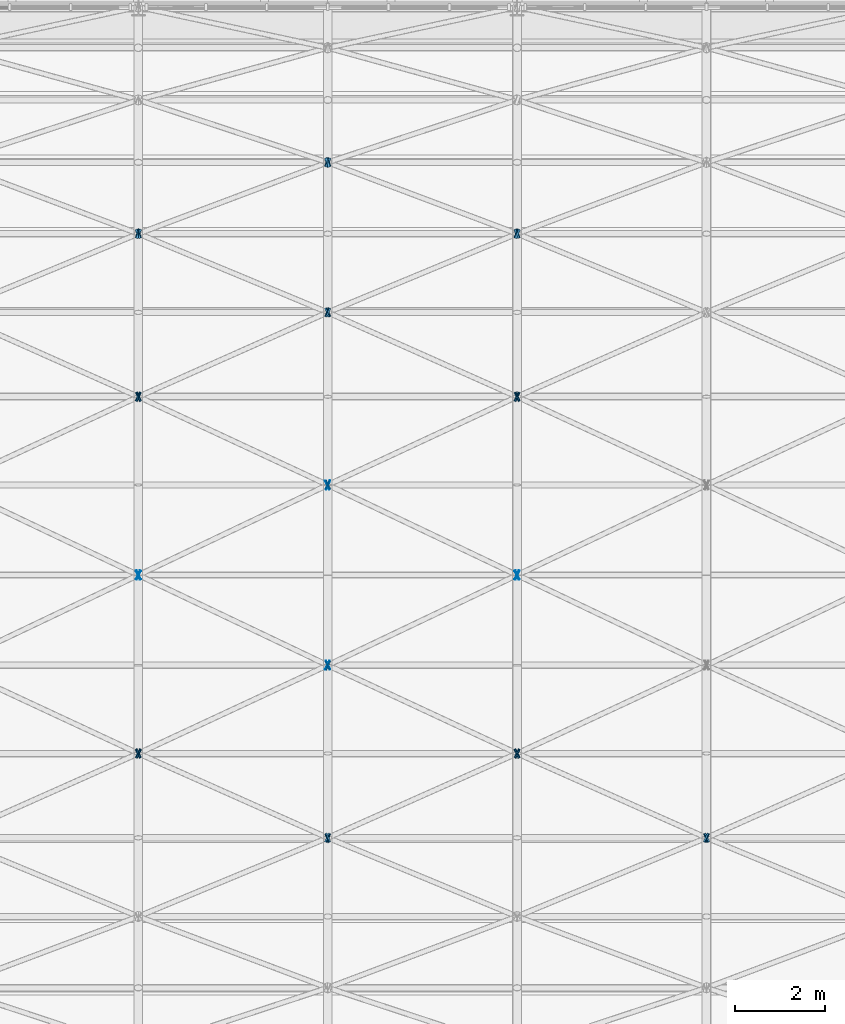
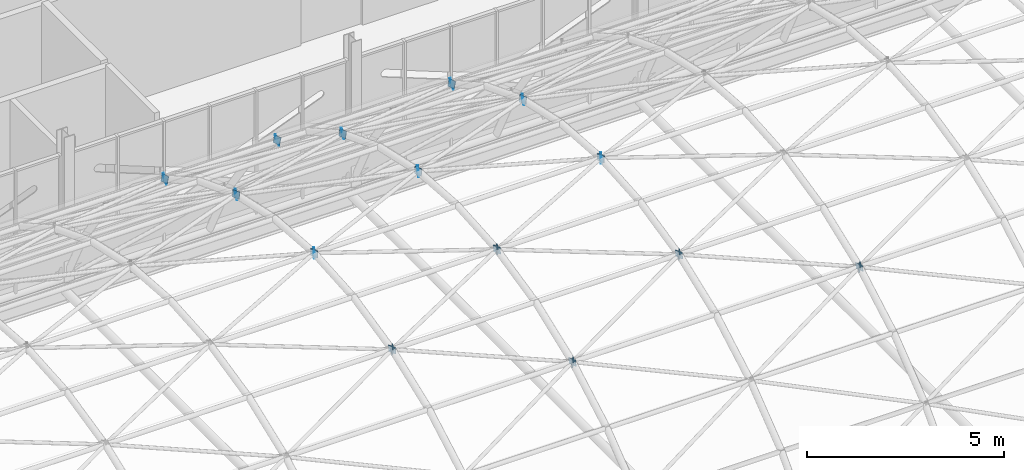
# One storey, part 113 of 121: 56 discrete accessories.
"""IFC4 building model written with IfcOpenShell, lengths in metres."""

from ifc_helpers import new_model, si_unit, direction, frame, origin, origin_2d, place, context, subcontext, project, spatial, rectangle, extrude, material, material_profile, profile_set, type_object, element, save


model = new_model("IFC4")

# Units and contexts
model_context = context("Model", 3, precision=1e-05, world=origin(), true_north=direction((0.0, 1.0)))
body_context = subcontext(model_context, "Body", "Model", "MODEL_VIEW")
ifc_project = project(units=[si_unit("LENGTHUNIT", "METRE"), si_unit("AREAUNIT", "SQUARE_METRE"), si_unit("VOLUMEUNIT", "CUBIC_METRE"), si_unit("PLANEANGLEUNIT", "RADIAN"), si_unit("MASSUNIT", "GRAM", prefix="KILO")], contexts=[model_context])

# Site, building, storey
site_placement = place(None, origin())
site = spatial("IfcSite", under=ifc_project, at=site_placement, CompositionType="ELEMENT")
building_placement = place(site_placement, origin())
building = spatial("IfcBuilding", under=site, at=building_placement, Name="Ardhachandra Cancer Care Centre", CompositionType="ELEMENT")
storey_placement = place(building_placement, frame((0.0, 0.0, 9.0)))
storey = spatial("IfcBuildingStorey", under=building, at=storey_placement, Name="L02", CompositionType="ELEMENT", Elevation=9.0)

# Discrete accessories
ifc_material = material(Name="Steel E250 (IS 2062)", Category="steel")
ifc_material_profile = material_profile(ifc_material, rectangle(XDim=0.21435546875, YDim=0.21435546875, at=origin_2d()), Name="PL 214x214x12")
ifc_profile_set = profile_set([ifc_material_profile], Name="Steel E250 (IS 2062)")
discrete_accessory_type = type_object("IfcDiscreteAccessoryType", Name="Diagonal end plate 214 x 214 x 12", PredefinedType="BRACKET", material=ifc_profile_set)
for number, where, z_axis, x_axis, name in (
    (1, (78.0, 63.244384765625, 7.814208984375), (-0.900966171356, -0.409530077889, -0.143335527261), (0.413802944301, -0.910366477463, 0.0), "Diagonal end plate Hall shell diagonal 07-05 2"),
    (2, (78.0, 63.244384765625, 7.814208984375), (-0.897772245151, 0.428482207913, 0.102019573313), (-0.430729586215, -0.902481037784, 0.0), "Diagonal end plate Hall shell diagonal 08-06 1"),
    (3, (78.0, 67.199951171875, 8.39990234375), (-0.902291261515, -0.430639011177, -0.02050661958), (0.430729586215, -0.902481037784, 0.0), "Diagonal end plate Hall shell diagonal 07-07 2"),
    (4, (78.0, 67.199951171875, 8.39990234375), (-0.902291261515, 0.430639011177, -0.02050661958), (-0.430729586215, -0.902481037784, 0.0), "Diagonal end plate Hall shell diagonal 08-08 1"),
    (5, (78.0, 71.155517578125, 7.814208984375), (-0.897772245151, -0.428482207913, 0.102019573313), (0.430729586215, -0.902481037784, 0.0), "Diagonal end plate Hall shell diagonal 07-09 2"),
    (6, (78.0, 71.155517578125, 7.814208984375), (-0.900966171356, 0.409530077889, -0.143335527261), (-0.413802944301, -0.910366477463, 0.0), "Diagonal end plate Hall shell diagonal 08-10 1"),
    (7, (78.0, 74.771728515625, 6.107421875), (-0.89479701826, -0.386389621521, 0.223699254565), (0.3964360163, -0.918062353536, 0.0), "Diagonal end plate Hall shell diagonal 07-11 2"),
    (8, (78.0, 74.771728515625, 6.107421875), (-0.905533836482, 0.329285031448, -0.267544088051), (-0.341743063087, -0.939793423488, 0.0), "Diagonal end plate Hall shell diagonal 08-12 1"),
    (9, (82.199951171875, 61.37353515625, 7.093994140625), (-0.905725666552, -0.370524136317, -0.205846742398), (0.378632845721, -0.925546956206, 0.0), "Diagonal end plate Hall shell diagonal 08-04 2"),
    (10, (82.199951171875, 61.37353515625, 7.093994140625), (-0.89814623902, 0.408248290464, 0.163299316186), (-0.413802944301, -0.910366477463, 0.0), "Diagonal end plate Hall shell diagonal 09-05 1"),
    (11, (78.0, 63.244384765625, 7.814208984375), (0.900966171356, -0.409530077889, -0.143335527261), (0.413802944301, 0.910366477463, 0.0), "Diagonal end plate Hall shell diagonal 09-05 2"),
    (12, (78.0, 63.244384765625, 7.814208984375), (0.897772245151, 0.428482207913, 0.102019573313), (-0.430729586215, 0.902481037784, 0.0), "Diagonal end plate Hall shell diagonal 08-06 1"),
    (13, (82.199951171875, 65.20068359375, 8.252685546875), (-0.899458907781, -0.429287205986, -0.081768991616), (0.430729586215, -0.902481037784, 0.0), "Diagonal end plate Hall shell diagonal 08-06 2"),
    (14, (82.199951171875, 65.20068359375, 8.252685546875), (-0.901722650223, 0.430367628516, 0.040987393192), (-0.430729586215, -0.902481037784, 0.0), "Diagonal end plate Hall shell diagonal 09-07 1"),
    (15, (78.0, 67.199951171875, 8.39990234375), (0.902291261515, -0.430639011177, -0.02050661958), (0.430729586215, 0.902481037784, 0.0), "Diagonal end plate Hall shell diagonal 09-07 2"),
    (16, (78.0, 67.199951171875, 8.39990234375), (0.902291261515, 0.430639011177, -0.02050661958), (-0.430729586215, 0.902481037784, 0.0), "Diagonal end plate Hall shell diagonal 08-08 1"),
    (17, (82.199951171875, 69.19921875, 8.252685546875), (-0.901722650223, -0.430367628516, 0.040987393192), (0.430729586215, -0.902481037784, 0.0), "Diagonal end plate Hall shell diagonal 08-08 2"),
    (18, (82.199951171875, 69.19921875, 8.252685546875), (-0.899458907781, 0.429287205986, -0.081768991616), (-0.430729586215, -0.902481037784, 0.0), "Diagonal end plate Hall shell diagonal 09-09 1"),
    (19, (78.0, 71.155517578125, 7.814208984375), (0.897772245151, -0.428482207913, 0.102019573313), (0.430729586215, 0.902481037784, 0.0), "Diagonal end plate Hall shell diagonal 09-09 2"),
    (20, (78.0, 71.155517578125, 7.814208984375), (0.900966171356, 0.409530077889, -0.143335527261), (-0.413802944301, 0.910366477463, 0.0), "Diagonal end plate Hall shell diagonal 08-10 1"),
    (21, (82.199951171875, 73.0263671875, 7.093994140625), (-0.905533836482, -0.391025974844, 0.164642515724), (0.3964360163, -0.918062353536, 0.0), "Diagonal end plate Hall shell diagonal 08-10 2"),
    (22, (82.199951171875, 73.0263671875, 7.093994140625), (-0.898708107226, 0.388078500848, -0.204251842551), (-0.3964360163, -0.918062353536, 0.0), "Diagonal end plate Hall shell diagonal 09-11 1"),
    (23, (78.0, 74.771728515625, 6.107421875), (0.89479701826, -0.386389621521, 0.223699254565), (0.3964360163, 0.918062353536, 0.0), "Diagonal end plate Hall shell diagonal 09-11 2"),
    (24, (78.0, 74.771728515625, 6.107421875), (0.905533836482, 0.329285031448, -0.267544088051), (-0.341743063087, 0.939793423488, 0.0), "Diagonal end plate Hall shell diagonal 08-12 1"),
    (25, (82.199951171875, 76.353515625, 4.8759765625), (-0.899271031245, -0.347445625708, 0.265693713777), (0.360399279202, -0.932798134406, 0.0), "Diagonal end plate Hall shell diagonal 08-12 2"),
    (26, (82.199951171875, 76.353515625, 4.8759765625), (-0.900777348936, 0.307083187137, -0.307083187137), (-0.322673927788, -0.946510188179, 0.0), "Diagonal end plate Hall shell diagonal 09-13 1"),
    (27, (82.199951171875, 61.37353515625, 7.093994140625), (0.909322885136, -0.363729154054, -0.202071752252), (0.371390676354, 0.928476690885, 0.0), "Diagonal end plate Hall shell diagonal 10-04 2"),
):
    element("IfcDiscreteAccessory", number, at=place(storey_placement, frame(where, z_axis=z_axis, x_axis=x_axis)), inside=storey, type_object=discrete_accessory_type, Name=name, PredefinedType="BRACKET", context=body_context, shape_type="SweptSolid", body=[
        extrude(rectangle(XDim=0.21435546875, YDim=0.21435546875, at=origin_2d()), origin(), (0.0, 0.0, 1.0), 0.011962890625),
    ])
discrete_accessory_1_placement = place(storey_placement, frame((82.199951171875, 61.37353515625, 7.093994140625), z_axis=(0.901986558051, 0.400882914689, 0.160353165876), x_axis=(-0.406138466053, 0.91381154862, 0.0)))
element("IfcDiscreteAccessory", 28, at=discrete_accessory_1_placement, inside=storey, type_object=discrete_accessory_type, Name="Diagonal end plate Hall shell diagonal 09-05 1", PredefinedType="BRACKET", context=body_context, shape_type="SweptSolid", body=[
    extrude(rectangle(XDim=0.21435546875, YDim=0.21435546875, at=origin_2d()), origin(), (0.0, 0.0, 1.0), 0.01220703125),
])
for number, where, z_axis, x_axis, name in (
    (29, (86.39990234375, 63.244384765625, 7.814208984375), (-0.900966171356, -0.409530077889, -0.143335527261), (0.413802944301, -0.910366477463, 0.0), "Diagonal end plate Hall shell diagonal 09-05 2"),
    (30, (86.39990234375, 63.244384765625, 7.814208984375), (-0.897772245151, 0.428482207913, 0.102019573313), (-0.430729586215, -0.902481037784, 0.0), "Diagonal end plate Hall shell diagonal 10-06 1"),
):
    element("IfcDiscreteAccessory", number, at=place(storey_placement, frame(where, z_axis=z_axis, x_axis=x_axis)), inside=storey, type_object=discrete_accessory_type, Name=name, PredefinedType="BRACKET", context=body_context, shape_type="SweptSolid", body=[
        extrude(rectangle(XDim=0.21435546875, YDim=0.21435546875, at=origin_2d()), origin(), (0.0, 0.0, 1.0), 0.011962890625),
    ])
for number, where, z_axis, x_axis, name in (
    (31, (82.199951171875, 65.20068359375, 8.252685546875), (0.903257601642, -0.421520214099, -0.08028956459), (0.422885465331, 0.906183139995, 0.0), "Diagonal end plate Hall shell diagonal 10-06 2"),
    (32, (82.199951171875, 65.20068359375, 8.252685546875), (0.905449091159, 0.422542909207, 0.040242181829), (-0.422885465331, 0.906183139995, 0.0), "Diagonal end plate Hall shell diagonal 09-07 1"),
):
    element("IfcDiscreteAccessory", number, at=place(storey_placement, frame(where, z_axis=z_axis, x_axis=x_axis)), inside=storey, type_object=discrete_accessory_type, Name=name, PredefinedType="BRACKET", context=body_context, shape_type="SweptSolid", body=[
        extrude(rectangle(XDim=0.21435546875, YDim=0.21435546875, at=origin_2d()), origin(), (0.0, 0.0, 1.0), 0.01220703125),
    ])
for number, where, z_axis, x_axis, name in (
    (33, (86.39990234375, 67.199951171875, 8.39990234375), (-0.902291261515, -0.430639011177, -0.02050661958), (0.430729586215, -0.902481037784, 0.0), "Diagonal end plate Hall shell diagonal 09-07 2"),
    (34, (86.39990234375, 67.199951171875, 8.39990234375), (-0.902291261515, 0.430639011177, -0.02050661958), (-0.430729586215, -0.902481037784, 0.0), "Diagonal end plate Hall shell diagonal 10-08 1"),
):
    element("IfcDiscreteAccessory", number, at=place(storey_placement, frame(where, z_axis=z_axis, x_axis=x_axis)), inside=storey, type_object=discrete_accessory_type, Name=name, PredefinedType="BRACKET", context=body_context, shape_type="SweptSolid", body=[
        extrude(rectangle(XDim=0.21435546875, YDim=0.21435546875, at=origin_2d()), origin(), (0.0, 0.0, 1.0), 0.011962890625),
    ])
for number, where, z_axis, x_axis, name in (
    (35, (82.199951171875, 69.19921875, 8.252685546875), (0.905449091159, -0.422542909207, 0.040242181829), (0.422885465331, 0.906183139995, 0.0), "Diagonal end plate Hall shell diagonal 10-08 2"),
    (36, (82.199951171875, 69.19921875, 8.252685546875), (0.903257601642, 0.421520214099, -0.08028956459), (-0.422885465331, 0.906183139995, 0.0), "Diagonal end plate Hall shell diagonal 09-09 1"),
):
    element("IfcDiscreteAccessory", number, at=place(storey_placement, frame(where, z_axis=z_axis, x_axis=x_axis)), inside=storey, type_object=discrete_accessory_type, Name=name, PredefinedType="BRACKET", context=body_context, shape_type="SweptSolid", body=[
        extrude(rectangle(XDim=0.21435546875, YDim=0.21435546875, at=origin_2d()), origin(), (0.0, 0.0, 1.0), 0.01220703125),
    ])
for number, where, z_axis, x_axis, name in (
    (37, (86.39990234375, 71.155517578125, 7.814208984375), (-0.897772245151, -0.428482207913, 0.102019573313), (0.430729586215, -0.902481037784, 0.0), "Diagonal end plate Hall shell diagonal 09-09 2"),
    (38, (86.39990234375, 71.155517578125, 7.814208984375), (-0.900966171356, 0.409530077889, -0.143335527261), (-0.413802944301, -0.910366477463, 0.0), "Diagonal end plate Hall shell diagonal 10-10 1"),
    (39, (82.199951171875, 73.0263671875, 7.093994140625), (0.909137290097, -0.38385796693, 0.161624407128), (0.38897203704, 0.921249561411, 0.0), "Diagonal end plate Hall shell diagonal 10-10 2"),
):
    element("IfcDiscreteAccessory", number, at=place(storey_placement, frame(where, z_axis=z_axis, x_axis=x_axis)), inside=storey, type_object=discrete_accessory_type, Name=name, PredefinedType="BRACKET", context=body_context, shape_type="SweptSolid", body=[
        extrude(rectangle(XDim=0.21435546875, YDim=0.21435546875, at=origin_2d()), origin(), (0.0, 0.0, 1.0), 0.011962890625),
    ])
discrete_accessory_2_placement = place(storey_placement, frame((82.199951171875, 73.0263671875, 7.093994140625), z_axis=(0.902530633635, 0.381068489757, -0.20056236303), x_axis=(-0.38897203704, 0.921249561411, 0.0)))
element("IfcDiscreteAccessory", 40, at=discrete_accessory_2_placement, inside=storey, type_object=discrete_accessory_type, Name="Diagonal end plate Hall shell diagonal 09-11 1", PredefinedType="BRACKET", context=body_context, shape_type="SweptSolid", body=[
    extrude(rectangle(XDim=0.21435546875, YDim=0.21435546875, at=origin_2d()), origin(), (0.0, 0.0, 1.0), 0.01220703125),
])
for number, where, z_axis, x_axis, name in (
    (41, (86.39990234375, 74.771728515625, 6.107421875), (-0.89479701826, -0.386389621521, 0.223699254565), (0.3964360163, -0.918062353536, 0.0), "Diagonal end plate Hall shell diagonal 09-11 2"),
    (42, (86.39990234375, 74.771728515625, 6.107421875), (-0.905533836482, 0.329285031448, -0.267544088051), (-0.341743063087, -0.939793423488, 0.0), "Diagonal end plate Hall shell diagonal 10-12 1"),
):
    element("IfcDiscreteAccessory", number, at=place(storey_placement, frame(where, z_axis=z_axis, x_axis=x_axis)), inside=storey, type_object=discrete_accessory_type, Name=name, PredefinedType="BRACKET", context=body_context, shape_type="SweptSolid", body=[
        extrude(rectangle(XDim=0.21435546875, YDim=0.21435546875, at=origin_2d()), origin(), (0.0, 0.0, 1.0), 0.011962890625),
    ])
for number, where, z_axis, x_axis, name in (
    (43, (82.199951171875, 76.353515625, 4.8759765625), (0.903075694963, -0.341161929208, 0.260888534101), (0.353400568719, 0.935472093667, 0.0), "Diagonal end plate Hall shell diagonal 10-12 2"),
    (44, (82.199951171875, 76.353515625, 4.8759765625), (0.904534033733, 0.301511344578, -0.301511344578), (-0.316227766017, 0.948683298051, 0.0), "Diagonal end plate Hall shell diagonal 09-13 1"),
):
    element("IfcDiscreteAccessory", number, at=place(storey_placement, frame(where, z_axis=z_axis, x_axis=x_axis)), inside=storey, type_object=discrete_accessory_type, Name=name, PredefinedType="BRACKET", context=body_context, shape_type="SweptSolid", body=[
        extrude(rectangle(XDim=0.21435546875, YDim=0.21435546875, at=origin_2d()), origin(), (0.0, 0.0, 1.0), 0.01220703125),
    ])
discrete_accessory_3_placement = place(storey_placement, frame((90.60009765625, 61.37353515625, 7.093994140625), z_axis=(-0.909322885136, -0.363729154054, -0.202071752252), x_axis=(0.371390676354, -0.928476690885, 0.0)))
element("IfcDiscreteAccessory", 45, at=discrete_accessory_3_placement, inside=storey, type_object=discrete_accessory_type, Name="Diagonal end plate Hall shell diagonal 10-04 2", PredefinedType="BRACKET", context=body_context, shape_type="SweptSolid", body=[
    extrude(rectangle(XDim=0.21435546875, YDim=0.21435546875, at=origin_2d()), origin(), (0.0, 0.0, 1.0), 0.011962890625),
])
for number, where, z_axis, x_axis, name in (
    (46, (90.60009765625, 61.37353515625, 7.093994140625), (-0.901986558051, 0.400882914689, 0.160353165876), (-0.406138466053, -0.91381154862, 0.0), "Diagonal end plate Hall shell diagonal 11-05 1"),
    (47, (86.39990234375, 63.244384765625, 7.814208984375), (0.904716823274, -0.4020963659, -0.140733728065), (0.406138466053, 0.91381154862, 0.0), "Diagonal end plate Hall shell diagonal 11-05 2"),
    (48, (86.39990234375, 63.244384765625, 7.814208984375), (0.901624387163, 0.420758047343, 0.100180487463), (-0.422885465331, 0.906183139995, 0.0), "Diagonal end plate Hall shell diagonal 10-06 1"),
    (49, (86.39990234375, 67.199951171875, 8.39990234375), (0.905999460427, -0.422799748199, -0.020133321343), (0.422885465331, 0.906183139995, 0.0), "Diagonal end plate Hall shell diagonal 11-07 2"),
    (50, (86.39990234375, 67.199951171875, 8.39990234375), (0.905999460427, 0.422799748199, -0.020133321343), (-0.422885465331, 0.906183139995, 0.0), "Diagonal end plate Hall shell diagonal 10-08 1"),
    (51, (86.39990234375, 71.155517578125, 7.814208984375), (0.901624387163, -0.420758047343, 0.100180487463), (0.422885465331, 0.906183139995, 0.0), "Diagonal end plate Hall shell diagonal 11-09 2"),
    (52, (86.39990234375, 71.155517578125, 7.814208984375), (0.904716823274, 0.4020963659, -0.140733728065), (-0.406138466053, 0.91381154862, 0.0), "Diagonal end plate Hall shell diagonal 10-10 1"),
    (53, (86.39990234375, 74.771728515625, 6.107421875), (0.898742639841, -0.3794691146, 0.219692645294), (0.38897203704, 0.921249561411, 0.0), "Diagonal end plate Hall shell diagonal 11-11 2"),
):
    element("IfcDiscreteAccessory", number, at=place(storey_placement, frame(where, z_axis=z_axis, x_axis=x_axis)), inside=storey, type_object=discrete_accessory_type, Name=name, PredefinedType="BRACKET", context=body_context, shape_type="SweptSolid", body=[
        extrude(rectangle(XDim=0.21435546875, YDim=0.21435546875, at=origin_2d()), origin(), (0.0, 0.0, 1.0), 0.01220703125),
    ])
for number, where, z_axis, x_axis, name in (
    (54, (86.39990234375, 74.771728515625, 6.107421875), (0.909137290097, 0.323248814257, -0.262639661584), (-0.335009667655, 0.942214690279, 0.0), "Diagonal end plate Hall shell diagonal 10-12 1"),
    (55, (90.60009765625, 61.37353515625, 7.093994140625), (0.905725666552, -0.370524136317, -0.205846742398), (0.378632845721, 0.925546956206, 0.0), "Diagonal end plate Hall shell diagonal 12-04 2"),
    (56, (90.60009765625, 61.37353515625, 7.093994140625), (0.89814623902, 0.408248290464, 0.163299316186), (-0.413802944301, 0.910366477463, 0.0), "Diagonal end plate Hall shell diagonal 11-05 1"),
):
    element("IfcDiscreteAccessory", number, at=place(storey_placement, frame(where, z_axis=z_axis, x_axis=x_axis)), inside=storey, type_object=discrete_accessory_type, Name=name, PredefinedType="BRACKET", context=body_context, shape_type="SweptSolid", body=[
        extrude(rectangle(XDim=0.21435546875, YDim=0.21435546875, at=origin_2d()), origin(), (0.0, 0.0, 1.0), 0.011962890625),
    ])

save(model, "model.ifc")
